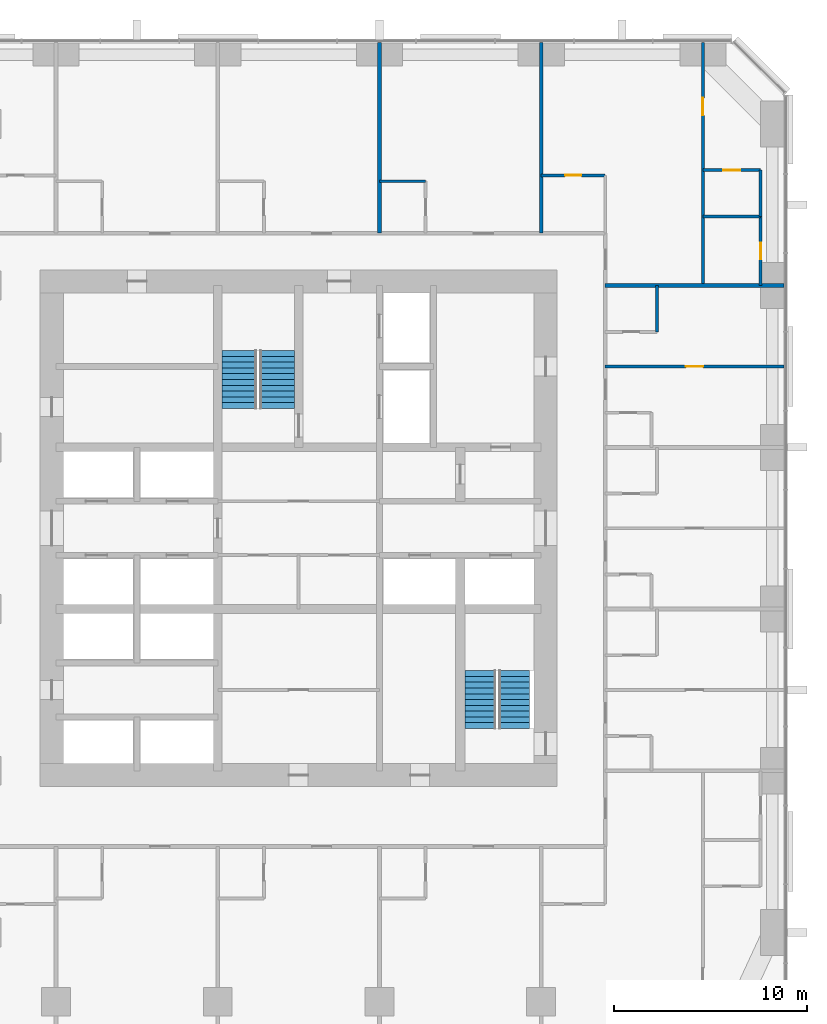
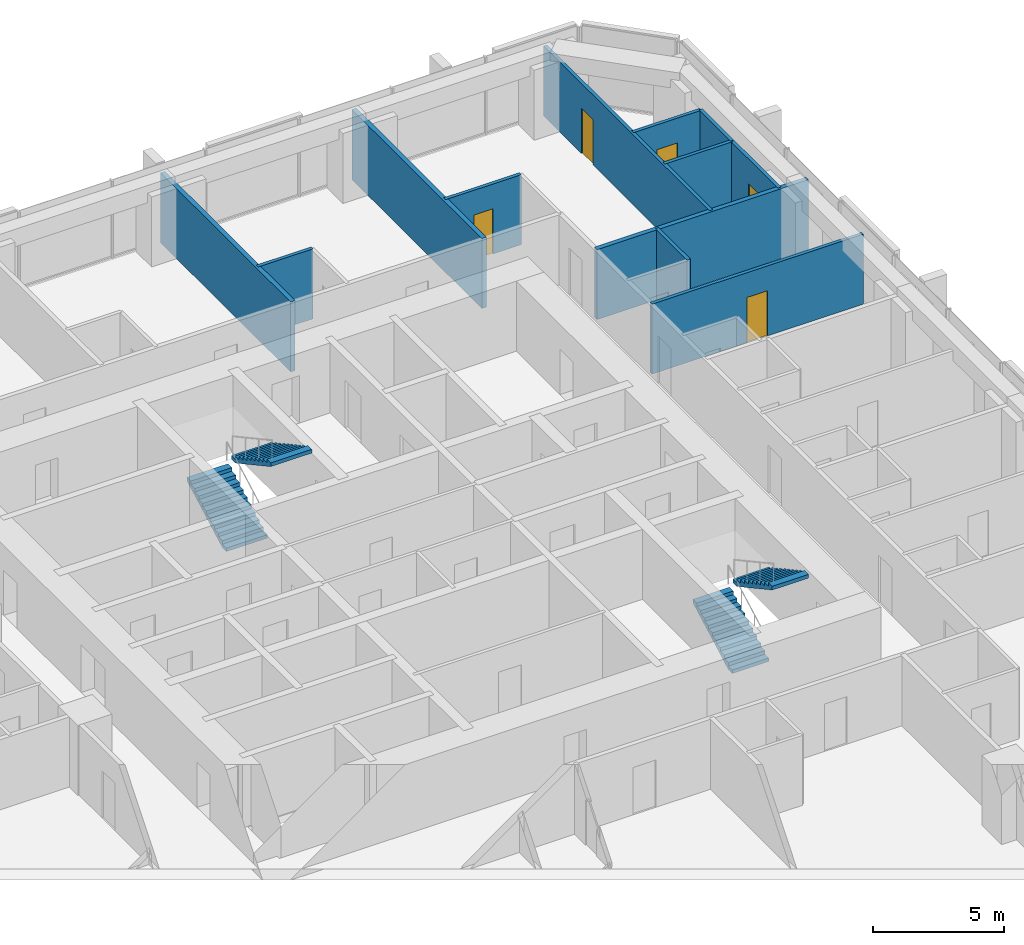
# One storey, part 12 of 13: 12 walls, 5 doors, 4 stair flights, 5 openings, 2 elements without a shape of their own.
"""IFC4 building model written with IfcOpenShell, lengths in metres."""

from ifc_helpers import new_model, si_unit, direction, frame, frame_2d, origin, place, context, subcontext, project, spatial, polyline, rectangle, outline, extrude, material, layer, layer_set, type_object, element, fill, aggregate, save


model = new_model("IFC4")

# Units and contexts
model_context = context("Model", 3, precision=1e-05, world=origin(), true_north=direction((0.0, 1.0)))
body_context = subcontext(model_context, "Body", "Model", "MODEL_VIEW")
ifc_project = project(units=[si_unit("LENGTHUNIT", "METRE"), si_unit("AREAUNIT", "SQUARE_METRE"), si_unit("VOLUMEUNIT", "CUBIC_METRE"), si_unit("PLANEANGLEUNIT", "RADIAN"), si_unit("MASSUNIT", "GRAM", prefix="KILO")], contexts=[model_context])

# Site, building, storey
site_placement = place(None, origin())
site = spatial("IfcSite", under=ifc_project, at=site_placement, CompositionType="ELEMENT")
building_placement = place(site_placement, origin())
building = spatial("IfcBuilding", under=site, at=building_placement, Name="Dunama Terrace Hotel", CompositionType="ELEMENT")
storey_placement = place(building_placement, frame((0.0, 0.0, 115.199951171875)))
storey = spatial("IfcBuildingStorey", under=building, at=storey_placement, Name="L29", CompositionType="ELEMENT", Elevation=115.199951171875)

# Wall
ifc_material_1 = material(Name="Gypsum board partition", Category="masonry")
ifc_layer_1 = layer(ifc_material_1, 0.14990234375)
ifc_layer_set_1 = layer_set([ifc_layer_1], Name="Bathroom partition 150")
wall_type_1 = type_object("IfcWallType", Name="Bathroom partition 150", PredefinedType="PARTITIONING", material=ifc_layer_set_1)
wall_1_placement = place(storey_placement, frame((48.02490234375, 39.60009765625, 0.0), z_axis=(0.0, 0.0, 1.0), x_axis=(0.0, 1.0, 0.0)))
element("IfcWall", 1, at=wall_1_placement, inside=storey, type_object=wall_type_1, Name="Bathroom partition 150 L29", PredefinedType="PARTITIONING", context=body_context, shape_type="SweptSolid", body=[
    extrude(rectangle(XDim=2.39990234375, YDim=0.14990234375, at=frame_2d((1.199951171875, 0.0))), origin(), (0.0, 0.0, 1.0), 3.25),
])

# Wall, opening, door
wall_2_placement = place(storey_placement, frame((53.39990234375, 42.0, 0.0), z_axis=(0.0, 0.0, 1.0), x_axis=(0.0, 1.0, 0.0)))
wall_2 = element("IfcWall", 2, at=wall_2_placement, inside=storey, type_object=wall_type_1, Name="Bathroom partition 150 L29", PredefinedType="PARTITIONING", context=body_context, shape_type="SweptSolid", body=[
    extrude(rectangle(XDim=3.60009765625, YDim=0.14990234375, at=frame_2d((1.800048828125, 0.0))), origin(), (0.0, 0.0, 1.0), 3.25),
])
opening_1_placement = place(wall_2_placement, frame((1.375, 0.0, 0.0)))
opening_1 = element("IfcOpeningElement", 3, at=opening_1_placement, cuts=wall_2, Name="Opening L28-29-054", PredefinedType="OPENING", context=body_context, shape_type="SweptSolid", body=[
    extrude(rectangle(XDim=0.85009765625, YDim=2.10009765625, at=frame_2d((0.425048828125, 1.050048828125))), frame((0.0, 0.0849609375, 0.0), z_axis=(0.0, -1.0, 0.0), x_axis=(1.0, 0.0, 0.0)), (0.0, 0.0, 1.0), 0.169921875),
])
ifc_material_2 = material(Name="Timber door with steel frame", Category="steel")
door_type_1 = type_object("IfcDoorType", Name="Bathroom door 850", OperationType="SINGLE_SWING_LEFT", PredefinedType="DOOR", material=ifc_material_2)
door_1_placement = place(opening_1_placement, origin())
door_1 = element("IfcDoor", 4, at=door_1_placement, inside=storey, type_object=door_type_1, Name="Door to en-suite bathroom L28-29-054, type D2", OperationType="SINGLE_SWING_LEFT", OverallHeight=2.10009765625, OverallWidth=0.85009765625, PredefinedType="DOOR", context=body_context, shape_type="SweptSolid", body=[
    extrude(rectangle(XDim=0.85009765625, YDim=2.10009765625, at=frame_2d((0.425048828125, 1.050048828125))), frame((0.0, 0.02490234375, 0.0), z_axis=(0.0, -1.0, 0.0), x_axis=(1.0, 0.0, 0.0)), (0.0, 0.0, 1.0), 0.050048828125),
])
fill(opening_1, door_1)

# Wall
wall_3_placement = place(storey_placement, frame((33.60009765625, 47.425048828125, 0.0), z_axis=(0.0, 0.0, 1.0), x_axis=(1.0, 0.0, 0.0)))
element("IfcWall", 5, at=wall_3_placement, inside=storey, type_object=wall_type_1, Name="Bathroom partition 150 L29", PredefinedType="PARTITIONING", context=body_context, shape_type="SweptSolid", body=[
    extrude(rectangle(XDim=2.39990234375, YDim=0.14990234375, at=frame_2d((1.199951171875, 0.0))), origin(), (0.0, 0.0, 1.0), 3.25),
])

# Wall, opening, door
wall_4_placement = place(storey_placement, frame((42.0, 47.72509765625, 0.0), z_axis=(0.0, 0.0, 1.0), x_axis=(1.0, 0.0, 0.0)))
wall_4 = element("IfcWall", 6, at=wall_4_placement, inside=storey, type_object=wall_type_1, Name="Bathroom partition 150 L29", PredefinedType="PARTITIONING", context=body_context, shape_type="SweptSolid", body=[
    extrude(rectangle(XDim=3.324951171875, YDim=0.14990234375, at=frame_2d((1.66259765625, 0.0))), origin(), (0.0, 0.0, 1.0), 3.25),
])
opening_2_placement = place(wall_4_placement, frame((1.238037109375, 0.0, 0.0)))
opening_2 = element("IfcOpeningElement", 7, at=opening_2_placement, cuts=wall_4, Name="Opening L28-29-052", PredefinedType="OPENING", context=body_context, shape_type="SweptSolid", body=[
    extrude(rectangle(XDim=0.85009765625, YDim=2.10009765625, at=frame_2d((0.425048828125, 1.050048828125))), frame((0.0, 0.0849609375, 0.0), z_axis=(0.0, -1.0, 0.0), x_axis=(1.0, 0.0, 0.0)), (0.0, 0.0, 1.0), 0.169921875),
])
door_2_placement = place(opening_2_placement, frame((0.85009765625, 0.0, 0.0), z_axis=(0.0, 0.0, 1.0), x_axis=(-1.0, 0.0, 0.0)))
door_2 = element("IfcDoor", 8, at=door_2_placement, inside=storey, type_object=door_type_1, Name="Door to powder room L28-29-052, type D2", OperationType="SINGLE_SWING_RIGHT", OverallHeight=2.10009765625, OverallWidth=0.85009765625, PredefinedType="DOOR", context=body_context, shape_type="SweptSolid", body=[
    extrude(rectangle(XDim=0.85009765625, YDim=2.10009765625, at=frame_2d((0.425048828125, 1.050048828125))), frame((0.0, 0.025146484375, 0.0), z_axis=(0.0, -1.0, 0.0), x_axis=(1.0, 0.0, 0.0)), (0.0, 0.0, 1.0), 0.050048828125),
])
fill(opening_2, door_2)

# Walls
ifc_material_3 = material(Name="Concrete blockwork", Category="masonry")
ifc_layer_2 = layer(ifc_material_3, 0.199951171875)
ifc_layer_set_2 = layer_set([ifc_layer_2], Name="Party wall 200")
wall_type_2 = type_object("IfcWallType", Name="Party wall 200", PredefinedType="PARTITIONING", material=ifc_layer_set_2)
for number, where, z_axis, x_axis, name in (
    (9, (33.60009765625, 44.72509765625, 0.0), (0.0, 0.0, 1.0), (0.0, 1.0, 0.0), "Party wall 200 L29"),
    (10, (42.0, 44.72509765625, 0.0), (0.0, 0.0, 1.0), (0.0, 1.0, 0.0), "Party wall 200 L29"),
):
    element("IfcWall", number, at=place(storey_placement, frame(where, z_axis=z_axis, x_axis=x_axis)), inside=storey, type_object=wall_type_2, Name=name, PredefinedType="PARTITIONING", context=body_context, shape_type="SweptSolid", body=[
        extrude(rectangle(XDim=9.892822265625, YDim=0.199951171875, at=frame_2d((4.9462890625, 0.0))), origin(), (0.0, 0.0, 1.0), 3.25),
    ])
wall_5_placement = place(storey_placement, frame((45.324951171875, 42.0, 0.0), z_axis=(0.0, 0.0, 1.0), x_axis=(1.0, 0.0, 0.0)))
element("IfcWall", 11, at=wall_5_placement, inside=storey, type_object=wall_type_2, Name="Party wall 200 L29", PredefinedType="PARTITIONING", context=body_context, shape_type="SweptSolid", body=[
    extrude(rectangle(XDim=9.29296875, YDim=0.199951171875, at=frame_2d((4.646484375, 0.0))), origin(), (0.0, 0.0, 1.0), 3.25),
])

# Wall, opening, door
ifc_material_4 = material(Name="Gypsum board partition", Category="masonry")
ifc_layer_3 = layer(ifc_material_4, 0.14990234375)
ifc_layer_set_3 = layer_set([ifc_layer_3], Name="Room partition 150")
wall_type_3 = type_object("IfcWallType", Name="Room partition 150", PredefinedType="PARTITIONING", material=ifc_layer_set_3)
wall_6_placement = place(storey_placement, frame((50.39990234375, 42.0, 0.0), z_axis=(0.0, 0.0, 1.0), x_axis=(0.0, 1.0, 0.0)))
wall_6 = element("IfcWall", 12, at=wall_6_placement, inside=storey, type_object=wall_type_3, Name="Room partition 150 L29", PredefinedType="PARTITIONING", context=body_context, shape_type="SweptSolid", body=[
    extrude(rectangle(XDim=12.617919921875, YDim=0.14990234375, at=frame_2d((6.30908203125, 0.0))), origin(), (0.0, 0.0, 1.0), 3.25),
])
opening_3_placement = place(wall_6_placement, frame((8.85009765625, 0.0, 0.0)))
opening_3 = element("IfcOpeningElement", 13, at=opening_3_placement, cuts=wall_6, Name="Opening L28-29-053", PredefinedType="OPENING", context=body_context, shape_type="SweptSolid", body=[
    extrude(rectangle(XDim=0.89990234375, YDim=2.10009765625, at=frame_2d((0.449951171875, 1.050048828125))), frame((0.0, 0.0849609375, 0.0), z_axis=(0.0, -1.0, 0.0), x_axis=(1.0, 0.0, 0.0)), (0.0, 0.0, 1.0), 0.169921875),
])
ifc_material_5 = material(Name="Timber door with steel frame", Category="steel")
door_type_2 = type_object("IfcDoorType", Name="Suite internal door 900", OperationType="SINGLE_SWING_LEFT", PredefinedType="DOOR", material=ifc_material_5)
door_3_placement = place(opening_3_placement, frame((0.89990234375, 0.0, 0.0), z_axis=(0.0, 0.0, 1.0), x_axis=(-1.0, 0.0, 0.0)))
door_3 = element("IfcDoor", 14, at=door_3_placement, inside=storey, type_object=door_type_2, Name="Door to corner suite bedroom L28-29-053, type D16", OperationType="SINGLE_SWING_LEFT", OverallHeight=2.10009765625, OverallWidth=0.89990234375, PredefinedType="DOOR", context=body_context, shape_type="SweptSolid", body=[
    extrude(rectangle(XDim=0.89990234375, YDim=2.10009765625, at=frame_2d((0.449951171875, 1.050048828125))), frame((0.0, 0.025146484375, 0.0), z_axis=(0.0, -1.0, 0.0), x_axis=(1.0, 0.0, 0.0)), (0.0, 0.0, 1.0), 0.050048828125),
])
fill(opening_3, door_3)

# Wall
wall_7_placement = place(storey_placement, frame((53.39990234375, 45.60009765625, 0.0), z_axis=(0.0, 0.0, 1.0), x_axis=(0.0, 1.0, 0.0)))
element("IfcWall", 15, at=wall_7_placement, inside=storey, type_object=wall_type_3, Name="Room partition 150 L29", PredefinedType="PARTITIONING", context=body_context, shape_type="SweptSolid", body=[
    extrude(rectangle(XDim=2.39990234375, YDim=0.14990234375, at=frame_2d((1.199951171875, 0.0))), origin(), (0.0, 0.0, 1.0), 3.25),
])

# Wall, opening, door
wall_8_placement = place(storey_placement, frame((45.324951171875, 37.800048828125, 0.0), z_axis=(0.0, 0.0, 1.0), x_axis=(1.0, 0.0, 0.0)))
wall_8 = element("IfcWall", 16, at=wall_8_placement, inside=storey, type_object=wall_type_3, Name="Room partition 150 L29", PredefinedType="PARTITIONING", context=body_context, shape_type="SweptSolid", body=[
    extrude(rectangle(XDim=9.29296875, YDim=0.14990234375, at=frame_2d((4.646484375, 0.0))), origin(), (0.0, 0.0, 1.0), 3.25),
])
opening_4_placement = place(wall_8_placement, frame((4.18798828125, 0.0, 0.0)))
opening_4 = element("IfcOpeningElement", 17, at=opening_4_placement, cuts=wall_8, Name="Opening L28-29-027", PredefinedType="OPENING", context=body_context, shape_type="SweptSolid", body=[
    extrude(rectangle(XDim=0.89990234375, YDim=2.10009765625, at=frame_2d((0.449951171875, 1.050048828125))), frame((0.0, 0.0849609375, 0.0), z_axis=(0.0, -1.0, 0.0), x_axis=(1.0, 0.0, 0.0)), (0.0, 0.0, 1.0), 0.169921875),
])
door_4_placement = place(opening_4_placement, origin())
door_4 = element("IfcDoor", 18, at=door_4_placement, inside=storey, type_object=door_type_2, Name="Door to premier suite bedroom L28-29-027, type D16", OperationType="SINGLE_SWING_LEFT", OverallHeight=2.10009765625, OverallWidth=0.89990234375, PredefinedType="DOOR", context=body_context, shape_type="SweptSolid", body=[
    extrude(rectangle(XDim=0.89990234375, YDim=2.10009765625, at=frame_2d((0.449951171875, 1.050048828125))), frame((0.0, 0.02490234375, 0.0), z_axis=(0.0, -1.0, 0.0), x_axis=(1.0, 0.0, 0.0)), (0.0, 0.0, 1.0), 0.050048828125),
])
fill(opening_4, door_4)

# Wall
wall_9_placement = place(storey_placement, frame((50.39990234375, 45.60009765625, 0.0), z_axis=(0.0, 0.0, 1.0), x_axis=(1.0, 0.0, 0.0)))
element("IfcWall", 19, at=wall_9_placement, inside=storey, type_object=wall_type_3, Name="Room partition 150 L29", PredefinedType="PARTITIONING", context=body_context, shape_type="SweptSolid", body=[
    extrude(rectangle(XDim=3.0, YDim=0.14990234375, at=frame_2d((1.5, 0.0))), origin(), (0.0, 0.0, 1.0), 3.25),
])

# Wall, opening, door
wall_10_placement = place(storey_placement, frame((50.39990234375, 48.0, 0.0), z_axis=(0.0, 0.0, 1.0), x_axis=(1.0, 0.0, 0.0)))
wall_10 = element("IfcWall", 20, at=wall_10_placement, inside=storey, type_object=wall_type_3, Name="Room partition 150 L29", PredefinedType="PARTITIONING", context=body_context, shape_type="SweptSolid", body=[
    extrude(rectangle(XDim=3.0, YDim=0.14990234375, at=frame_2d((1.5, 0.0))), origin(), (0.0, 0.0, 1.0), 3.25),
])
opening_5_placement = place(wall_10_placement, frame((1.050048828125, 0.0, 0.0)))
opening_5 = element("IfcOpeningElement", 21, at=opening_5_placement, cuts=wall_10, Name="Opening L28-29-055", PredefinedType="OPENING", context=body_context, shape_type="SweptSolid", body=[
    extrude(rectangle(XDim=0.89990234375, YDim=2.10009765625, at=frame_2d((0.449951171875, 1.050048828125))), frame((0.0, 0.0849609375, 0.0), z_axis=(0.0, -1.0, 0.0), x_axis=(1.0, 0.0, 0.0)), (0.0, 0.0, 1.0), 0.169921875),
])
door_5_placement = place(opening_5_placement, frame((0.89990234375, 0.0, 0.0), z_axis=(0.0, 0.0, 1.0), x_axis=(-1.0, 0.0, 0.0)))
door_5 = element("IfcDoor", 22, at=door_5_placement, inside=storey, type_object=door_type_2, Name="Door to dressing room L28-29-055, type D16", OperationType="SINGLE_SWING_RIGHT", OverallHeight=2.10009765625, OverallWidth=0.89990234375, PredefinedType="DOOR", context=body_context, shape_type="SweptSolid", body=[
    extrude(rectangle(XDim=0.89990234375, YDim=2.10009765625, at=frame_2d((0.449951171875, 1.050048828125))), frame((0.0, 0.025146484375, 0.0), z_axis=(0.0, -1.0, 0.0), x_axis=(1.0, 0.0, 0.0)), (0.0, 0.0, 1.0), 0.050048828125),
])
fill(opening_5, door_5)

# Stair, stair flights
ifc_material_6 = material(Name="Concrete C40/50", Category="concrete")
stair_type_1 = type_object("IfcStairType", Name="Stair ST1-3600-1800", PredefinedType="HALF_TURN_STAIR", material=ifc_material_6)
stair_1_placement = place(storey_placement, origin())
stair_1 = element("IfcStair", 23, at=stair_1_placement, inside=storey, type_object=stair_type_1, Name="Stair ST1 L29", PredefinedType="HALF_TURN_STAIR")
ifc_material_7 = material(Name="Concrete C40/50", Category="concrete")
stair_flight_type_1 = type_object("IfcStairFlightType", Name="Stair flight ST1-3600-1800", PredefinedType="STRAIGHT", material=ifc_material_7)
stair_flight_1_placement = place(storey_placement, frame((26.324951171875, 35.625, 0.0), z_axis=(0.0, 0.0, 1.0), x_axis=(0.0, 1.0, 0.0)))
stair_flight_1 = element("IfcStairFlight", 24, at=stair_flight_1_placement, type_object=stair_flight_type_1, Name="ST1 flight 1", NumberOfRisers=11, NumberOfTreads=10, PredefinedType="STRAIGHT", RiserHeight=0.163636364, TreadLength=0.3, context=body_context, shape_type="SweptSolid", body=[
    extrude(outline(polyline([(0.0, 0.0), (0.0, 0.16357421875), (0.300048828125, 0.16357421875), (0.300048828125, 0.327392578125), (0.60009765625, 0.327392578125), (0.60009765625, 0.490966796875), (0.89990234375, 0.490966796875), (0.89990234375, 0.654541015625), (1.199951171875, 0.654541015625), (1.199951171875, 0.818115234375), (1.5, 0.818115234375), (1.5, 0.98193359375), (1.800048828125, 0.98193359375), (1.800048828125, 1.1455078125), (2.10009765625, 1.1455078125), (2.10009765625, 1.30908203125), (2.39990234375, 1.30908203125), (2.39990234375, 1.47265625), (2.699951171875, 1.47265625), (2.699951171875, 1.636474609375), (3.0, 1.636474609375), (3.0, 1.800048828125), (3.0, 1.465576171875), (0.31298828125, 0.0), (0.0, 0.0)])), frame((0.0, 0.89990234375, 0.0), z_axis=(0.0, -1.0, 0.0), x_axis=(1.0, 0.0, 0.0)), (0.0, 0.0, 1.0), 1.800048828125),
])
stair_flight_2_placement = place(storey_placement, frame((28.27490234375, 38.625, 1.800048828125), z_axis=(0.0, 0.0, 1.0), x_axis=(0.0, -1.0, 0.0)))
stair_flight_2 = element("IfcStairFlight", 25, at=stair_flight_2_placement, type_object=stair_flight_type_1, Name="ST1 flight 2", NumberOfRisers=11, NumberOfTreads=10, PredefinedType="STRAIGHT", RiserHeight=0.163636364, TreadLength=0.3, context=body_context, shape_type="SweptSolid", body=[
    extrude(outline(polyline([(0.0, 0.0), (0.0, 0.16357421875), (0.300048828125, 0.16357421875), (0.300048828125, 0.327392578125), (0.60009765625, 0.327392578125), (0.60009765625, 0.490966796875), (0.89990234375, 0.490966796875), (0.89990234375, 0.654541015625), (1.199951171875, 0.654541015625), (1.199951171875, 0.818115234375), (1.5, 0.818115234375), (1.5, 0.98193359375), (1.800048828125, 0.98193359375), (1.800048828125, 1.1455078125), (2.10009765625, 1.1455078125), (2.10009765625, 1.30908203125), (2.39990234375, 1.30908203125), (2.39990234375, 1.47265625), (2.699951171875, 1.47265625), (2.699951171875, 1.636474609375), (3.0, 1.636474609375), (3.0, 1.800048828125), (3.0, 1.465576171875), (0.31298828125, 0.0), (0.0, 0.0)])), frame((0.0, 0.89990234375, 0.0), z_axis=(0.0, -1.0, 0.0), x_axis=(1.0, 0.0, 0.0)), (0.0, 0.0, 1.0), 1.800048828125),
])
aggregate(stair_1, [stair_flight_1, stair_flight_2])

ifc_material_8 = material(Name="Concrete C40/50", Category="concrete")
stair_type_2 = type_object("IfcStairType", Name="Stair ST2-3600-1600", PredefinedType="HALF_TURN_STAIR", material=ifc_material_8)
stair_2_placement = place(storey_placement, origin())
stair_2 = element("IfcStair", 26, at=stair_2_placement, inside=storey, type_object=stair_type_2, Name="Stair ST2 L29", PredefinedType="HALF_TURN_STAIR")
ifc_material_9 = material(Name="Concrete C40/50", Category="concrete")
stair_flight_type_2 = type_object("IfcStairFlightType", Name="Stair flight ST2-3600-1600", PredefinedType="STRAIGHT", material=ifc_material_9)
stair_flight_3_placement = place(storey_placement, frame((38.85009765625, 19.0, 0.0), z_axis=(0.0, 0.0, 1.0), x_axis=(0.0, 1.0, 0.0)))
stair_flight_3 = element("IfcStairFlight", 27, at=stair_flight_3_placement, type_object=stair_flight_type_2, Name="ST2 flight 1", NumberOfRisers=11, NumberOfTreads=10, PredefinedType="STRAIGHT", RiserHeight=0.163636364, TreadLength=0.3, context=body_context, shape_type="SweptSolid", body=[
    extrude(outline(polyline([(0.0, 0.0), (0.0, 0.16357421875), (0.300048828125, 0.16357421875), (0.300048828125, 0.327392578125), (0.60009765625, 0.327392578125), (0.60009765625, 0.490966796875), (0.89990234375, 0.490966796875), (0.89990234375, 0.654541015625), (1.199951171875, 0.654541015625), (1.199951171875, 0.818115234375), (1.5, 0.818115234375), (1.5, 0.98193359375), (1.800048828125, 0.98193359375), (1.800048828125, 1.1455078125), (2.10009765625, 1.1455078125), (2.10009765625, 1.30908203125), (2.39990234375, 1.30908203125), (2.39990234375, 1.47265625), (2.699951171875, 1.47265625), (2.699951171875, 1.636474609375), (3.0, 1.636474609375), (3.0, 1.800048828125), (3.0, 1.465576171875), (0.31298828125, 0.0), (0.0, 0.0)])), frame((0.0, 0.800048828125, 0.0), z_axis=(0.0, -1.0, 0.0), x_axis=(1.0, 0.0, 0.0)), (0.0, 0.0, 1.0), 1.60009765625),
])
stair_flight_4_placement = place(storey_placement, frame((40.60009765625, 22.0, 1.800048828125), z_axis=(0.0, 0.0, 1.0), x_axis=(0.0, -1.0, 0.0)))
stair_flight_4 = element("IfcStairFlight", 28, at=stair_flight_4_placement, type_object=stair_flight_type_2, Name="ST2 flight 2", NumberOfRisers=11, NumberOfTreads=10, PredefinedType="STRAIGHT", RiserHeight=0.163636364, TreadLength=0.3, context=body_context, shape_type="SweptSolid", body=[
    extrude(outline(polyline([(0.0, 0.0), (0.0, 0.16357421875), (0.300048828125, 0.16357421875), (0.300048828125, 0.327392578125), (0.60009765625, 0.327392578125), (0.60009765625, 0.490966796875), (0.89990234375, 0.490966796875), (0.89990234375, 0.654541015625), (1.199951171875, 0.654541015625), (1.199951171875, 0.818115234375), (1.5, 0.818115234375), (1.5, 0.98193359375), (1.800048828125, 0.98193359375), (1.800048828125, 1.1455078125), (2.10009765625, 1.1455078125), (2.10009765625, 1.30908203125), (2.39990234375, 1.30908203125), (2.39990234375, 1.47265625), (2.699951171875, 1.47265625), (2.699951171875, 1.636474609375), (3.0, 1.636474609375), (3.0, 1.800048828125), (3.0, 1.465576171875), (0.31298828125, 0.0), (0.0, 0.0)])), frame((0.0, 0.800048828125, 0.0), z_axis=(0.0, -1.0, 0.0), x_axis=(1.0, 0.0, 0.0)), (0.0, 0.0, 1.0), 1.60009765625),
])
aggregate(stair_2, [stair_flight_3, stair_flight_4])

save(model, "model.ifc")
